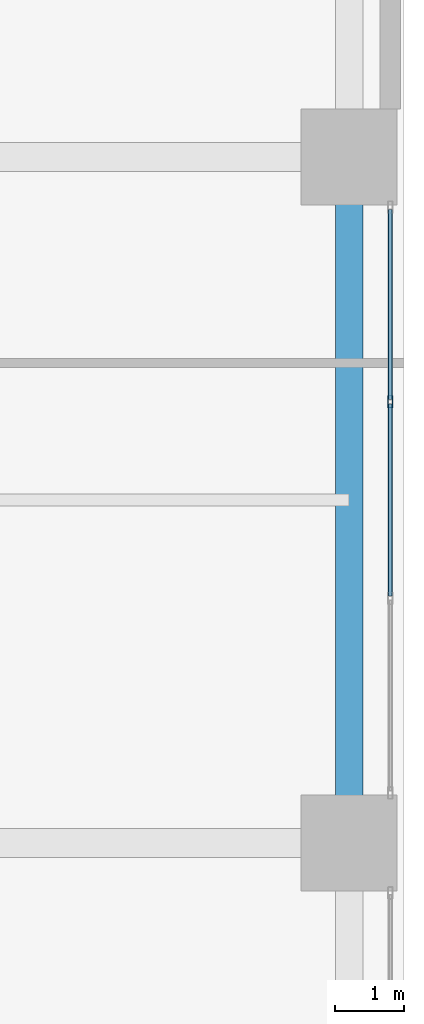
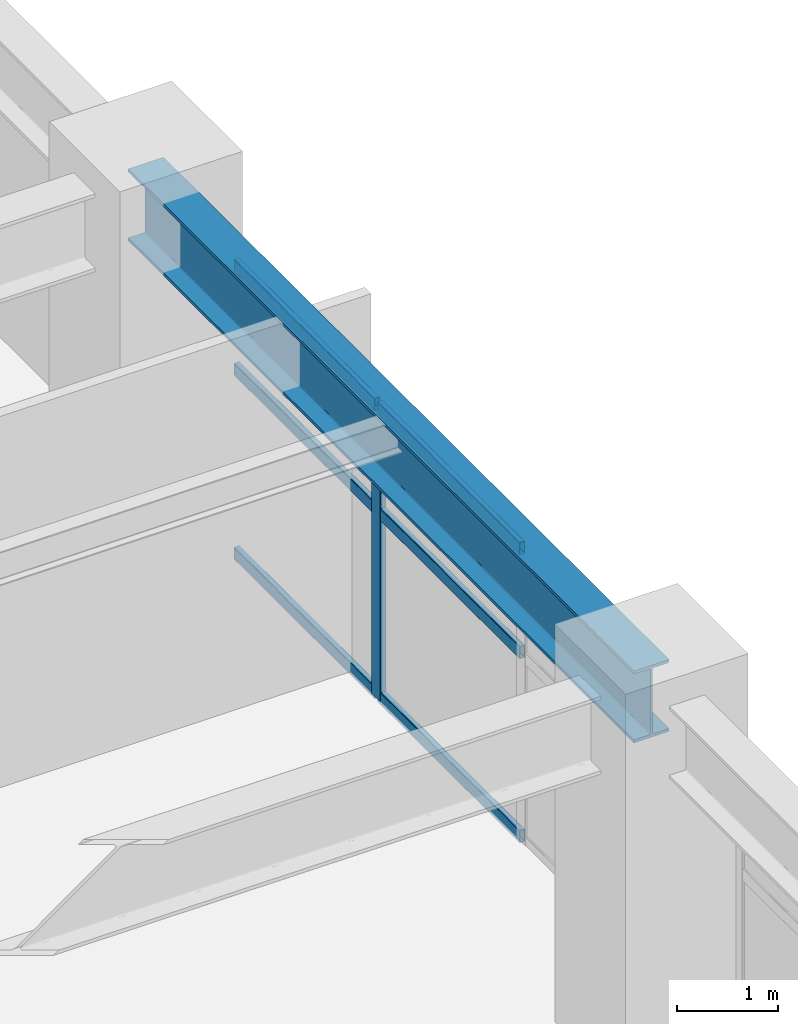
# One storey, part 16 of 28: 7 members, 1 beam, 1 element without a shape of its own.
"""IFC4 building model written with IfcOpenShell, lengths in metres."""

from ifc_helpers import new_model, si_unit, direction, frame, origin, origin_2d, place, context, subcontext, project, spatial, hollow_rectangle, i_section, extrude, material, layer, layer_set, material_profile, profile_set, type_object, element, aggregate, save


model = new_model("IFC4")

# Units and contexts
model_context = context("Model", 3, precision=1e-05, world=origin(), true_north=direction((0.0, 1.0)))
body_context = subcontext(model_context, "Body", "Model", "MODEL_VIEW")
ifc_project = project(units=[si_unit("LENGTHUNIT", "METRE"), si_unit("AREAUNIT", "SQUARE_METRE"), si_unit("VOLUMEUNIT", "CUBIC_METRE"), si_unit("PLANEANGLEUNIT", "RADIAN"), si_unit("MASSUNIT", "GRAM", prefix="KILO")], contexts=[model_context])

# Site, building, storey
site_placement = place(None, origin())
site = spatial("IfcSite", under=ifc_project, at=site_placement, CompositionType="ELEMENT")
building_placement = place(site_placement, origin())
building = spatial("IfcBuilding", under=site, at=building_placement, Name="Soratama Intermodal Tower", CompositionType="ELEMENT")
storey_placement = place(building_placement, frame((0.0, 0.0, 11.39990234375)))
storey = spatial("IfcBuildingStorey", under=building, at=storey_placement, Name="L02", CompositionType="ELEMENT", Elevation=11.39990234375)

# Beam
ifc_material_1 = material(Name="Structural steel ASTM A992 Grade 50", Category="steel")
ifc_material_profile_1 = material_profile(ifc_material_1, i_section(OverallWidth=0.403076171875, OverallDepth=0.867919921875, WebThickness=0.02099609375, FlangeThickness=0.03564453125, FilletRadius=0.01806640625, at=origin_2d()), Name="W33X241")
ifc_profile_set_1 = profile_set([ifc_material_profile_1], Name="Structural steel ASTM A992 Grade 50")
beam_type = type_object("IfcBeamType", Name="BM-POD-EXT-W33", PredefinedType="BEAM", material=ifc_profile_set_1)
beam_placement = place(storey_placement, frame((83.199951171875, 25.0, 4.046142578125), z_axis=(0.0, 1.0, 0.0), x_axis=(-1.0, 0.0, 0.0)))
element("IfcBeam", 1, at=beam_placement, inside=storey, type_object=beam_type, Name="L02 Station Girder Y4-3", PredefinedType="BEAM", context=body_context, shape_type="SweptSolid", body=[
    extrude(i_section(OverallWidth=0.403076171875, OverallDepth=0.867919921875, WebThickness=0.02099609375, FlangeThickness=0.03564453125, FilletRadius=0.01806640625, at=origin_2d()), origin(), (0.0, 0.0, 1.0), 10.0),
])

# Curtain wall, members
ifc_material_2 = material(Name="Double-glazed aluminium curtain wall", Category="aluminium")
ifc_layer = layer(ifc_material_2, 0.159912109375)
ifc_layer_set = layer_set([ifc_layer], Name="Double-glazed aluminium curtain wall")
curtain_wall_type = type_object("IfcCurtainWallType", Name="CW-SYS-1", PredefinedType="NOTDEFINED", material=ifc_layer_set)
curtain_wall_placement = place(storey_placement, origin())
curtain_wall = element("IfcCurtainWall", 2, at=curtain_wall_placement, inside=storey, type_object=curtain_wall_type, Name="L02 Station Curtain Wall E2", PredefinedType="NOTDEFINED")
ifc_material_3 = material(Name="Anodised aluminium AA 6063-T6", Category="aluminium")
ifc_material_profile_2 = material_profile(ifc_material_3, hollow_rectangle(XDim=0.074951171875, YDim=0.179931640625, WallThickness=0.006103515625, InnerFilletRadius=0.006103515625, OuterFilletRadius=0.011962890625, at=origin_2d()), Name="CWM180X75X6")
ifc_profile_set_2 = profile_set([ifc_material_profile_2], Name="Anodised aluminium AA 6063-T6")
member_type_1 = type_object("IfcMemberType", Name="MT-CWM-1", PredefinedType="MULLION", material=ifc_profile_set_2)
member_1_placement = place(storey_placement, frame((83.800048828125, 31.433349609375, 0.0), z_axis=(0.0, 0.0, 1.0), x_axis=(-1.0, 0.0, 0.0)))
member_1 = element("IfcMember", 3, at=member_1_placement, type_object=member_type_1, Name="CW-1 mullion 3", PredefinedType="MULLION", context=body_context, shape_type="SweptSolid", body=[
    extrude(hollow_rectangle(XDim=0.074951171875, YDim=0.179931640625, WallThickness=0.006103515625, InnerFilletRadius=0.006103515625, OuterFilletRadius=0.011962890625, at=origin_2d()), origin(), (0.0, 0.0, 1.0), 3.5361328125),
])
ifc_material_4 = material(Name="Anodised aluminium AA 6063-T6", Category="aluminium")
ifc_material_profile_3 = material_profile(ifc_material_4, hollow_rectangle(XDim=0.06494140625, YDim=0.14990234375, WallThickness=0.0048828125, InnerFilletRadius=0.0048828125, OuterFilletRadius=0.010009765625, at=origin_2d()), Name="CWT150X65X5")
ifc_profile_set_3 = profile_set([ifc_material_profile_3], Name="Anodised aluminium AA 6063-T6")
member_type_2 = type_object("IfcMemberType", Name="TT-CWT-1", PredefinedType="USERDEFINED", material=ifc_profile_set_3)
member_2_placement = place(storey_placement, frame((83.800048828125, 28.5966796875, 0.030029296875), z_axis=(0.0, 1.0, 0.0), x_axis=(-1.0, 0.0, 0.0)))
member_2 = element("IfcMember", 4, at=member_2_placement, type_object=member_type_2, Name="CW-1 transom 2.1", ObjectType="TRANSOM", PredefinedType="USERDEFINED", context=body_context, shape_type="SweptSolid", body=[
    extrude(hollow_rectangle(XDim=0.06494140625, YDim=0.14990234375, WallThickness=0.0048828125, InnerFilletRadius=0.0048828125, OuterFilletRadius=0.010009765625, at=origin_2d()), origin(), (0.0, 0.0, 1.0), 2.806640625),
])
member_3_placement = place(storey_placement, frame((83.800048828125, 28.5966796875, 2.25), z_axis=(0.0, 1.0, 0.0), x_axis=(-1.0, 0.0, 0.0)))
member_3 = element("IfcMember", 5, at=member_3_placement, type_object=member_type_2, Name="CW-1 transom 2.2", ObjectType="TRANSOM", PredefinedType="USERDEFINED", context=body_context, shape_type="SweptSolid", body=[
    extrude(hollow_rectangle(XDim=0.06494140625, YDim=0.14990234375, WallThickness=0.0048828125, InnerFilletRadius=0.0048828125, OuterFilletRadius=0.010009765625, at=origin_2d()), origin(), (0.0, 0.0, 1.0), 2.806640625),
])
member_4_placement = place(storey_placement, frame((83.800048828125, 28.5966796875, 3.506103515625), z_axis=(0.0, 1.0, 0.0), x_axis=(-1.0, 0.0, 0.0)))
member_4 = element("IfcMember", 6, at=member_4_placement, type_object=member_type_2, Name="CW-1 transom 2.3", ObjectType="TRANSOM", PredefinedType="USERDEFINED", context=body_context, shape_type="SweptSolid", body=[
    extrude(hollow_rectangle(XDim=0.06494140625, YDim=0.14990234375, WallThickness=0.0048828125, InnerFilletRadius=0.0048828125, OuterFilletRadius=0.010009765625, at=origin_2d()), origin(), (0.0, 0.0, 1.0), 2.806640625),
])
member_5_placement = place(storey_placement, frame((83.800048828125, 31.46337890625, 0.030029296875), z_axis=(0.0, 1.0, 0.0), x_axis=(-1.0, 0.0, 0.0)))
member_5 = element("IfcMember", 7, at=member_5_placement, type_object=member_type_2, Name="CW-1 transom 3.1", ObjectType="TRANSOM", PredefinedType="USERDEFINED", context=body_context, shape_type="SweptSolid", body=[
    extrude(hollow_rectangle(XDim=0.06494140625, YDim=0.14990234375, WallThickness=0.0048828125, InnerFilletRadius=0.0048828125, OuterFilletRadius=0.010009765625, at=origin_2d()), origin(), (0.0, 0.0, 1.0), 2.776611328125),
])
member_6_placement = place(storey_placement, frame((83.800048828125, 31.46337890625, 2.25), z_axis=(0.0, 1.0, 0.0), x_axis=(-1.0, 0.0, 0.0)))
member_6 = element("IfcMember", 8, at=member_6_placement, type_object=member_type_2, Name="CW-1 transom 3.2", ObjectType="TRANSOM", PredefinedType="USERDEFINED", context=body_context, shape_type="SweptSolid", body=[
    extrude(hollow_rectangle(XDim=0.06494140625, YDim=0.14990234375, WallThickness=0.0048828125, InnerFilletRadius=0.0048828125, OuterFilletRadius=0.010009765625, at=origin_2d()), origin(), (0.0, 0.0, 1.0), 2.776611328125),
])
member_7_placement = place(storey_placement, frame((83.800048828125, 31.46337890625, 3.506103515625), z_axis=(0.0, 1.0, 0.0), x_axis=(-1.0, 0.0, 0.0)))
member_7 = element("IfcMember", 9, at=member_7_placement, type_object=member_type_2, Name="CW-1 transom 3.3", ObjectType="TRANSOM", PredefinedType="USERDEFINED", context=body_context, shape_type="SweptSolid", body=[
    extrude(hollow_rectangle(XDim=0.06494140625, YDim=0.14990234375, WallThickness=0.0048828125, InnerFilletRadius=0.0048828125, OuterFilletRadius=0.010009765625, at=origin_2d()), origin(), (0.0, 0.0, 1.0), 2.776611328125),
])
aggregate(curtain_wall, [member_1, member_2, member_3, member_4, member_5, member_6, member_7])

save(model, "model.ifc")
